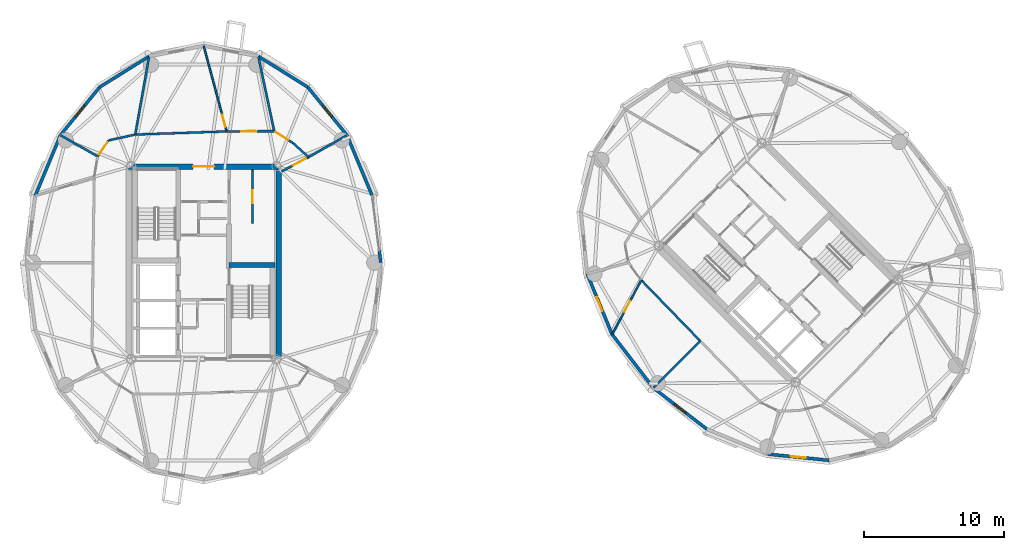
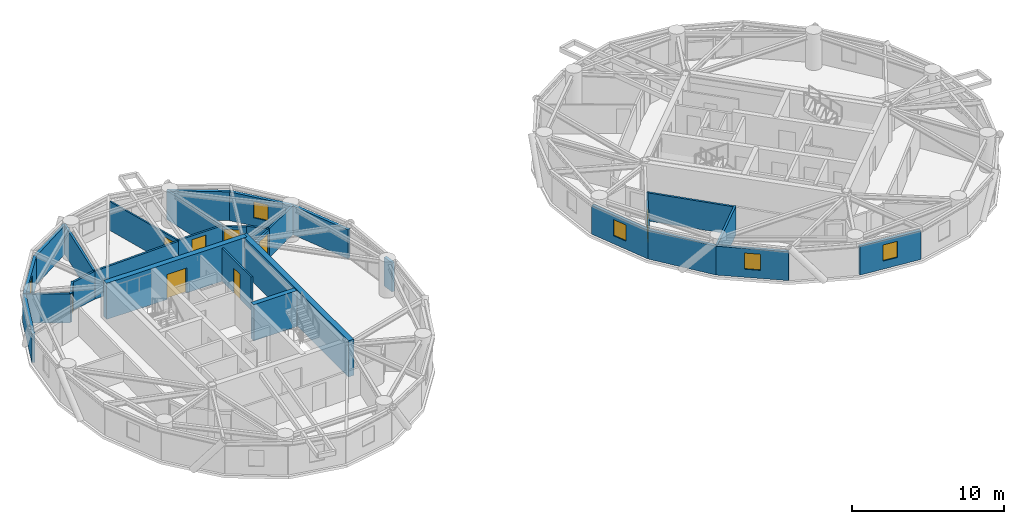
# One storey, part 10 of 16: 30 walls, 8 doors, 5 windows, 13 openings.
"""IFC4 building model written with IfcOpenShell, lengths in metres."""

from ifc_helpers import new_model, si_unit, direction, frame, frame_2d, origin, place, context, subcontext, project, spatial, rectangle, extrude, source, transform, mapped, material, layer, layer_set, type_object, element, fill, save


model = new_model("IFC4")

# Units and contexts
model_context = context("Model", 3, precision=1e-05, world=origin(), true_north=direction((0.0, 1.0)))
body_context = subcontext(model_context, "Body", "Model", "MODEL_VIEW")
ifc_project = project(units=[si_unit("LENGTHUNIT", "METRE"), si_unit("AREAUNIT", "SQUARE_METRE"), si_unit("VOLUMEUNIT", "CUBIC_METRE"), si_unit("PLANEANGLEUNIT", "RADIAN"), si_unit("MASSUNIT", "GRAM", prefix="KILO")], contexts=[model_context])

# Site, building, storey
site_placement = place(None, origin())
site = spatial("IfcSite", under=ifc_project, at=site_placement, CompositionType="ELEMENT")
building_placement = place(site_placement, origin())
building = spatial("IfcBuilding", under=site, at=building_placement, Name="Cununo Teusaquillo Station Towers", CompositionType="ELEMENT")
storey_placement = place(building_placement, frame((0.0, 0.0, 211.2099609375)))
storey = spatial("IfcBuildingStorey", under=building, at=storey_placement, Name="L67", CompositionType="ELEMENT", Elevation=211.2099609375)

# Walls
ifc_material_1 = material(Name="Concrete C50/60", Category="concrete")
ifc_layer_1 = layer(ifc_material_1, 0.35009765625)
ifc_layer_set_1 = layer_set([ifc_layer_1], Name="Concrete C50/60")
wall_type_1 = type_object("IfcWallType", Name="WL-CORE-350", PredefinedType="SHEAR", material=ifc_layer_set_1)
wall_1_placement = place(storey_placement, frame((18.31494140625, 24.344970703125, 0.0), z_axis=(0.0, 0.0, 1.0), x_axis=(1.0, 0.0, 0.0)))
element("IfcWall", 1, at=wall_1_placement, inside=storey, type_object=wall_type_1, Name="L67 Tower A Core Shear Wall ST2N", PredefinedType="SHEAR", context=body_context, shape_type="SweptSolid", body=[
    extrude(rectangle(XDim=3.28515625, YDim=0.35009765625, at=frame_2d((1.642578125, 0.0))), origin(), (0.0, 0.0, 1.0), 2.91015625),
])
ifc_material_2 = material(Name="Concrete C50/60", Category="concrete")
ifc_layer_2 = layer(ifc_material_2, 0.39990234375)
ifc_layer_set_2 = layer_set([ifc_layer_2], Name="Concrete C50/60")
wall_type_2 = type_object("IfcWallType", Name="WL-CORE-400", PredefinedType="SHEAR", material=ifc_layer_set_2)
wall_2_placement = place(storey_placement, frame((21.85009765625, 17.449951171875, 0.0), z_axis=(0.0, 0.0, 1.0), x_axis=(0.0, 1.0, 0.0)))
element("IfcWall", 2, at=wall_2_placement, inside=storey, type_object=wall_type_2, Name="L67 Tower A Core Shear Wall E", PredefinedType="SHEAR", context=body_context, shape_type="SweptSolid", body=[
    extrude(rectangle(XDim=14.10009765625, YDim=0.39990234375, at=frame_2d((7.050048828125, 0.0))), origin(), (0.0, 0.0, 1.0), 2.91015625),
])

# Wall, opening, door
wall_3_placement = place(storey_placement, frame((11.14990234375, 31.35009765625, 0.0), z_axis=(0.0, 0.0, 1.0), x_axis=(1.0, 0.0, 0.0)))
wall_3 = element("IfcWall", 3, at=wall_3_placement, inside=storey, type_object=wall_type_2, Name="L67 Tower A Core Shear Wall N", PredefinedType="SHEAR", context=body_context, shape_type="SweptSolid", body=[
    extrude(rectangle(XDim=10.7001953125, YDim=0.39990234375, at=frame_2d((5.35009765625, 0.0))), origin(), (0.0, 0.0, 1.0), 2.91015625),
])
shared_shape_1 = source(origin(), body_context, "Body", "SweptSolid", [
    extrude(rectangle(XDim=1.5, YDim=2.02001953125, at=frame_2d((0.75, 1.010009765625))), frame((0.0, 0.2099609375, 0.0), z_axis=(0.0, -1.0, 0.0), x_axis=(1.0, 0.0, 0.0)), (0.0, 0.0, 1.0), 0.419921875),
])
opening_1_placement = place(wall_3_placement, frame((4.60009765625, 0.0, 0.0)))
opening_1 = element("IfcOpeningElement", 4, at=opening_1_placement, cuts=wall_3, Name="Opening D-LB1", PredefinedType="OPENING", context=body_context, shape_type="MappedRepresentation", body=[
    mapped(shared_shape_1, transform((0.0, 0.0, 0.0), x_axis=(1.0, 0.0, 0.0), y_axis=(0.0, 1.0, 0.0), z_axis=(0.0, 0.0, 1.0), scale=1.0)),
])
ifc_material_3 = material(Name="Galvanised fire-rated hollow steel door assembly", Category="steel")
door_type_1 = type_object("IfcDoorType", Name="DR-LOBBY-1500", OperationType="DOUBLE_DOOR_SINGLE_SWING", PredefinedType="DOOR", material=ifc_material_3)
shared_shape_2 = source(origin(), body_context, "Body", "SweptSolid", [
    extrude(rectangle(XDim=1.5, YDim=2.02001953125, at=frame_2d((0.75, 1.010009765625))), frame((0.0, 0.02490234375, 0.0), z_axis=(0.0, -1.0, 0.0), x_axis=(1.0, 0.0, 0.0)), (0.0, 0.0, 1.0), 0.050048828125),
])
door_1_placement = place(opening_1_placement, origin())
door_1 = element("IfcDoor", 5, at=door_1_placement, inside=storey, type_object=door_type_1, Name="L67 Tower A North Core Lift Lobby Door", OperationType="DOUBLE_DOOR_SINGLE_SWING", OverallHeight=2.02001953125, OverallWidth=1.5, PredefinedType="DOOR", context=body_context, shape_type="MappedRepresentation", body=[
    mapped(shared_shape_2, transform((0.0, 0.0, 0.0), x_axis=(1.0, 0.0, 0.0), y_axis=(0.0, 1.0, 0.0), z_axis=(0.0, 0.0, 1.0), scale=1.0)),
])
fill(opening_1, door_1)

# Walls
ifc_material_4 = material(Name="Precast concrete C40/50", Category="concrete")
ifc_layer_3 = layer(ifc_material_4, 0.219970703125)
ifc_layer_set_3 = layer_set([ifc_layer_3], Name="Precast concrete C40/50")
wall_type_3 = type_object("IfcWallType", Name="WL-EXT-220", PredefinedType="SOLIDWALL", material=ifc_layer_set_3)
wall_4_placement = place(storey_placement, frame((29.018310546875, 25.36279296875, 0.0), z_axis=(0.0, 0.0, 1.0), x_axis=(0.128247365719, -0.991742211054, 0.0)))
element("IfcWall", 6, at=wall_4_placement, inside=storey, type_object=wall_type_3, Name="L67 Tower A Column Pier Cladding Wall C00-PB", PredefinedType="SOLIDWALL", context=body_context, shape_type="SweptSolid", body=[
    extrude(rectangle(XDim=0.869873046875, YDim=0.219970703125, at=frame_2d((0.43505859375, 0.0))), origin(), (0.0, 0.0, 1.0), 2.322021484375),
])
wall_5_placement = place(storey_placement, frame((26.718017578125, 33.593017578125, 0.0), z_axis=(0.0, 0.0, 1.0), x_axis=(0.384036305194, -0.923317993052, 0.0)))
element("IfcWall", 7, at=wall_5_placement, inside=storey, type_object=wall_type_3, Name="L67 Tower A Exterior Facade Wall C01", PredefinedType="SOLIDWALL", context=body_context, shape_type="SweptSolid", body=[
    extrude(rectangle(XDim=4.670654296875, YDim=0.219970703125, at=frame_2d((2.33544921875, 0.0))), origin(), (0.0, 0.0, 1.0), 2.322021484375),
])

# Wall, opening, window
wall_6_placement = place(storey_placement, frame((23.923583984375, 37.015380859375, 0.0), z_axis=(0.0, 0.0, 1.0), x_axis=(0.632467166636, -0.774587169483, 0.0)))
wall_6 = element("IfcWall", 8, at=wall_6_placement, inside=storey, type_object=wall_type_3, Name="L67 Tower A Exterior Facade Wall C02", PredefinedType="SOLIDWALL", context=body_context, shape_type="SweptSolid", body=[
    extrude(rectangle(XDim=4.418212890625, YDim=0.219970703125, at=frame_2d((2.208984375, 0.0))), origin(), (0.0, 0.0, 1.0), 2.322021484375),
])
shared_shape_3 = source(origin(), body_context, "Body", "SweptSolid", [
    extrude(rectangle(XDim=1.050048828125, YDim=1.300048828125, at=frame_2d((0.52490234375, 0.64990234375))), frame((0.0, 0.119873046875, 0.0), z_axis=(0.0, -1.0, 0.0), x_axis=(1.0, 0.0, 0.0)), (0.0, 0.0, 1.0), 0.239990234375),
])
opening_2_placement = place(wall_6_placement, frame((1.68408203125, 0.0, 0.64990234375)))
opening_2 = element("IfcOpeningElement", 9, at=opening_2_placement, cuts=wall_6, Name="Opening WN-04", PredefinedType="OPENING", context=body_context, shape_type="MappedRepresentation", body=[
    mapped(shared_shape_3, transform((0.0, 0.0, 0.0), x_axis=(1.0, 0.0, 0.0), y_axis=(0.0, 1.0, 0.0), z_axis=(0.0, 0.0, 1.0), scale=1.0)),
])
ifc_material_5 = material(Name="Operable acoustic tinted low-E double glazing", Category="glass")
window_type = type_object("IfcWindowType", Name="WIN-BAL-1050", PartitioningType="SINGLE_PANEL", PredefinedType="WINDOW", material=ifc_material_5)
shared_shape_4 = source(origin(), body_context, "Body", "SweptSolid", [
    extrude(rectangle(XDim=1.050048828125, YDim=1.300048828125, at=frame_2d((0.52490234375, 0.64990234375))), frame((0.0, 0.030029296875, 0.0), z_axis=(0.0, -1.0, 0.0), x_axis=(1.0, 0.0, 0.0)), (0.0, 0.0, 1.0), 0.06005859375),
])
window_1_placement = place(opening_2_placement, origin())
window_1 = element("IfcWindow", 10, at=window_1_placement, inside=storey, type_object=window_type, Name="L67 Tower A Facade Window C02", OverallHeight=1.300048828125, OverallWidth=1.050048828125, PartitioningType="SINGLE_PANEL", PredefinedType="WINDOW", context=body_context, shape_type="MappedRepresentation", body=[
    mapped(shared_shape_4, transform((0.0, 0.0, 0.0), x_axis=(1.0, 0.0, 0.0), y_axis=(0.0, 1.0, 0.0), z_axis=(0.0, 0.0, 1.0), scale=1.0)),
])
fill(opening_2, window_1)

# Walls
for number, where, z_axis, x_axis, name in (
    (11, (20.40283203125, 39.212890625, 0.0), (0.0, 0.0, 1.0), (0.848318713376, -0.529485939886, 0.0), "L67 Tower A Exterior Facade Wall C03"),
    (12, (9.076416015625, 37.015380859375, 0.0), (0.0, 0.0, 1.0), (0.848318713376, 0.529485939886, 0.0), "L67 Tower A Exterior Facade Wall C06"),
):
    element("IfcWall", number, at=place(storey_placement, frame(where, z_axis=z_axis, x_axis=x_axis)), inside=storey, type_object=wall_type_3, Name=name, PredefinedType="SOLIDWALL", context=body_context, shape_type="SweptSolid", body=[
        extrude(rectangle(XDim=4.150390625, YDim=0.219970703125, at=frame_2d((2.0751953125, 0.0))), origin(), (0.0, 0.0, 1.0), 2.322021484375),
    ])

# Wall, opening, window
wall_7_placement = place(storey_placement, frame((6.281982421875, 33.593017578125, 0.0), z_axis=(0.0, 0.0, 1.0), x_axis=(0.632467166636, 0.774587169483, 0.0)))
wall_7 = element("IfcWall", 13, at=wall_7_placement, inside=storey, type_object=wall_type_3, Name="L67 Tower A Exterior Facade Wall C07", PredefinedType="SOLIDWALL", context=body_context, shape_type="SweptSolid", body=[
    extrude(rectangle(XDim=4.418212890625, YDim=0.219970703125, at=frame_2d((2.208984375, 0.0))), origin(), (0.0, 0.0, 1.0), 2.322021484375),
])
opening_3_placement = place(wall_7_placement, frame((1.68408203125, 0.0, 0.64990234375)))
opening_3 = element("IfcOpeningElement", 14, at=opening_3_placement, cuts=wall_7, Name="Opening WN-04", PredefinedType="OPENING", context=body_context, shape_type="MappedRepresentation", body=[
    mapped(shared_shape_3, transform((0.0, 0.0, 0.0), x_axis=(1.0, 0.0, 0.0), y_axis=(0.0, 1.0, 0.0), z_axis=(0.0, 0.0, 1.0), scale=1.0)),
])
window_2_placement = place(opening_3_placement, origin())
window_2 = element("IfcWindow", 15, at=window_2_placement, inside=storey, type_object=window_type, Name="L67 Tower A Facade Window C07", OverallHeight=1.300048828125, OverallWidth=1.050048828125, PartitioningType="SINGLE_PANEL", PredefinedType="WINDOW", context=body_context, shape_type="MappedRepresentation", body=[
    mapped(shared_shape_4, transform((0.0, 0.0, 0.0), x_axis=(1.0, 0.0, 0.0), y_axis=(0.0, 1.0, 0.0), z_axis=(0.0, 0.0, 1.0), scale=1.0)),
])
fill(opening_3, window_2)

# Wall
wall_8_placement = place(storey_placement, frame((4.48828125, 29.280517578125, 0.0), z_axis=(0.0, 0.0, 1.0), x_axis=(0.384036305194, 0.923317993052, 0.0)))
element("IfcWall", 16, at=wall_8_placement, inside=storey, type_object=wall_type_3, Name="L67 Tower A Exterior Facade Wall C08", PredefinedType="SOLIDWALL", context=body_context, shape_type="SweptSolid", body=[
    extrude(rectangle(XDim=4.670654296875, YDim=0.219970703125, at=frame_2d((2.33544921875, 0.0))), origin(), (0.0, 0.0, 1.0), 2.322021484375),
])

# Wall, opening, window
wall_9_placement = place(storey_placement, frame((45.626220703125, 19.38671875, 0.0), z_axis=(0.0, 0.0, 1.0), x_axis=(-0.381309704956, 0.924447353237, 0.0)))
wall_9 = element("IfcWall", 17, at=wall_9_placement, inside=storey, type_object=wall_type_3, Name="L67 Tower B Exterior Facade Wall C08", PredefinedType="SOLIDWALL", context=body_context, shape_type="SweptSolid", body=[
    extrude(rectangle(XDim=4.670654296875, YDim=0.219970703125, at=frame_2d((2.33544921875, 0.0))), origin(), (0.0, 0.0, 1.0), 2.322021484375),
])
opening_4_placement = place(wall_9_placement, frame((1.81005859375, 0.0, 0.64990234375)))
opening_4 = element("IfcOpeningElement", 18, at=opening_4_placement, cuts=wall_9, Name="Opening WN-04", PredefinedType="OPENING", context=body_context, shape_type="MappedRepresentation", body=[
    mapped(shared_shape_3, transform((0.0, 0.0, 0.0), x_axis=(1.0, 0.0, 0.0), y_axis=(0.0, 1.0, 0.0), z_axis=(0.0, 0.0, 1.0), scale=1.0)),
])
window_3_placement = place(opening_4_placement, origin())
window_3 = element("IfcWindow", 19, at=window_3_placement, inside=storey, type_object=window_type, Name="L67 Tower B Facade Window C08", OverallHeight=1.300048828125, OverallWidth=1.050048828125, PartitioningType="SINGLE_PANEL", PredefinedType="WINDOW", context=body_context, shape_type="MappedRepresentation", body=[
    mapped(shared_shape_4, transform((0.0, 0.0, 0.0), x_axis=(1.0, 0.0, 0.0), y_axis=(0.0, 1.0, 0.0), z_axis=(0.0, 0.0, 1.0), scale=1.0)),
])
fill(opening_4, window_3)

# Wall
wall_10_placement = place(storey_placement, frame((48.569091796875, 15.569091796875, 0.0), z_axis=(0.0, 0.0, 1.0), x_axis=(-0.610523083886, 0.791998462147, 0.0)))
element("IfcWall", 20, at=wall_10_placement, inside=storey, type_object=wall_type_3, Name="L67 Tower B Exterior Facade Wall C09", PredefinedType="SOLIDWALL", context=body_context, shape_type="SweptSolid", body=[
    extrude(rectangle(XDim=4.8203125, YDim=0.219970703125, at=frame_2d((2.41015625, 0.0))), origin(), (0.0, 0.0, 1.0), 2.322021484375),
])

# Wall, opening, window
wall_11_placement = place(storey_placement, frame((52.38671875, 12.626220703125, 0.0), z_axis=(0.0, 0.0, 1.0), x_axis=(-0.791998462147, 0.610523083886, 0.0)))
wall_11 = element("IfcWall", 21, at=wall_11_placement, inside=storey, type_object=wall_type_3, Name="L67 Tower B Exterior Facade Wall C10", PredefinedType="SOLIDWALL", context=body_context, shape_type="SweptSolid", body=[
    extrude(rectangle(XDim=4.8203125, YDim=0.219970703125, at=frame_2d((2.41015625, 0.0))), origin(), (0.0, 0.0, 1.0), 2.322021484375),
])
opening_5_placement = place(wall_11_placement, frame((1.885009765625, 0.0, 0.64990234375)))
opening_5 = element("IfcOpeningElement", 22, at=opening_5_placement, cuts=wall_11, Name="Opening WN-04", PredefinedType="OPENING", context=body_context, shape_type="MappedRepresentation", body=[
    mapped(shared_shape_3, transform((0.0, 0.0, 0.0), x_axis=(1.0, 0.0, 0.0), y_axis=(0.0, 1.0, 0.0), z_axis=(0.0, 0.0, 1.0), scale=1.0)),
])
window_4_placement = place(opening_5_placement, origin())
window_4 = element("IfcWindow", 23, at=window_4_placement, inside=storey, type_object=window_type, Name="L67 Tower B Facade Window C10", OverallHeight=1.300048828125, OverallWidth=1.050048828125, PartitioningType="SINGLE_PANEL", PredefinedType="WINDOW", context=body_context, shape_type="MappedRepresentation", body=[
    mapped(shared_shape_4, transform((0.0, 0.0, 0.0), x_axis=(1.0, 0.0, 0.0), y_axis=(0.0, 1.0, 0.0), z_axis=(0.0, 0.0, 1.0), scale=1.0)),
])
fill(opening_5, window_4)

wall_12_placement = place(storey_placement, frame((61.100341796875, 10.40087890625, 0.0), z_axis=(0.0, 0.0, 1.0), x_axis=(-0.994929930991, 0.100570534541, 0.0)))
wall_12 = element("IfcWall", 24, at=wall_12_placement, inside=storey, type_object=wall_type_3, Name="L67 Tower B Exterior Facade Wall C12", PredefinedType="SOLIDWALL", context=body_context, shape_type="SweptSolid", body=[
    extrude(rectangle(XDim=4.418212890625, YDim=0.219970703125, at=frame_2d((2.208984375, 0.0))), origin(), (0.0, 0.0, 1.0), 2.322021484375),
])
opening_6_placement = place(wall_12_placement, frame((1.68408203125, 0.0, 0.64990234375)))
opening_6 = element("IfcOpeningElement", 25, at=opening_6_placement, cuts=wall_12, Name="Opening WN-04", PredefinedType="OPENING", context=body_context, shape_type="MappedRepresentation", body=[
    mapped(shared_shape_3, transform((0.0, 0.0, 0.0), x_axis=(1.0, 0.0, 0.0), y_axis=(0.0, 1.0, 0.0), z_axis=(0.0, 0.0, 1.0), scale=1.0)),
])
window_5_placement = place(opening_6_placement, origin())
window_5 = element("IfcWindow", 26, at=window_5_placement, inside=storey, type_object=window_type, Name="L67 Tower B Facade Window C12", OverallHeight=1.300048828125, OverallWidth=1.050048828125, PartitioningType="SINGLE_PANEL", PredefinedType="WINDOW", context=body_context, shape_type="MappedRepresentation", body=[
    mapped(shared_shape_4, transform((0.0, 0.0, 0.0), x_axis=(1.0, 0.0, 0.0), y_axis=(0.0, 1.0, 0.0), z_axis=(0.0, 0.0, 1.0), scale=1.0)),
])
fill(opening_6, window_5)

# Wall, opening, door
ifc_material_6 = material(Name="Fire-rated gypsum plasterboard partition assembly", Category="gypsum")
ifc_layer_4 = layer(ifc_material_6, 0.125)
ifc_layer_set_4 = layer_set([ifc_layer_4], Name="Fire-rated gypsum plasterboard partition assembly")
wall_type_4 = type_object("IfcWallType", Name="WL-PART-125", PredefinedType="PARTITIONING", material=ifc_layer_set_4)
wall_13_placement = place(storey_placement, frame((19.97998046875, 27.300048828125, 0.0), z_axis=(0.0, 0.0, 1.0), x_axis=(0.0, 1.0, 0.0)))
wall_13 = element("IfcWall", 27, at=wall_13_placement, inside=storey, type_object=wall_type_4, Name="L67 Tower A Reclaimed Bay Vertical Split Wall", PredefinedType="PARTITIONING", context=body_context, shape_type="SweptSolid", body=[
    extrude(rectangle(XDim=3.820068359375, YDim=0.125, at=frame_2d((1.91015625, 0.0))), origin(), (0.0, 0.0, 1.0), 2.68505859375),
])
shared_shape_5 = source(origin(), body_context, "Body", "SweptSolid", [
    extrude(rectangle(XDim=0.89990234375, YDim=2.0048828125, at=frame_2d((0.449951171875, 1.00244140625))), frame((0.0, 0.072509765625, 0.0), z_axis=(0.0, -1.0, 0.0), x_axis=(1.0, 0.0, 0.0)), (0.0, 0.0, 1.0), 0.14501953125),
])
opening_7_placement = place(wall_13_placement, frame((1.449951171875, 0.0, 0.0)))
opening_7 = element("IfcOpeningElement", 28, at=opening_7_placement, cuts=wall_13, Name="Opening D-IN1", PredefinedType="OPENING", context=body_context, shape_type="MappedRepresentation", body=[
    mapped(shared_shape_5, transform((0.0, 0.0, 0.0), x_axis=(1.0, 0.0, 0.0), y_axis=(0.0, 1.0, 0.0), z_axis=(0.0, 0.0, 1.0), scale=1.0)),
])
ifc_material_7 = material(Name="Acoustic solid-core hardwood leaf assembly", Category="wood")
door_type_2 = type_object("IfcDoorType", Name="DR-INT-900", OperationType="NOTDEFINED", PredefinedType="DOOR", material=ifc_material_7)
shared_shape_6 = source(origin(), body_context, "Body", "SweptSolid", [
    extrude(rectangle(XDim=0.89990234375, YDim=2.0048828125, at=frame_2d((0.449951171875, 1.00244140625))), frame((0.0, 0.02490234375, 0.0), z_axis=(0.0, -1.0, 0.0), x_axis=(1.0, 0.0, 0.0)), (0.0, 0.0, 1.0), 0.050048828125),
])
door_2_placement = place(opening_7_placement, origin())
door_2 = element("IfcDoor", 29, at=door_2_placement, inside=storey, type_object=door_type_2, Name="L67 Tower A Reclaimed Acoustic Booth Door", OperationType="SINGLE_SWING_RIGHT", OverallHeight=2.0048828125, OverallWidth=0.89990234375, PredefinedType="DOOR", context=body_context, shape_type="MappedRepresentation", body=[
    mapped(shared_shape_6, transform((0.0, 0.0, 0.0), x_axis=(1.0, 0.0, 0.0), y_axis=(0.0, 1.0, 0.0), z_axis=(0.0, 0.0, 1.0), scale=1.0)),
])
fill(opening_7, door_2)

wall_14_placement = place(storey_placement, frame((18.142822265625, 33.859619140625, 0.0), z_axis=(0.0, 0.0, 1.0), x_axis=(-0.260434252895, 0.965491584592, 0.0)))
wall_14 = element("IfcWall", 30, at=wall_14_placement, inside=storey, type_object=wall_type_4, Name="L67 Tower A International Arbitration Salon Suite Subdividing Wall", PredefinedType="PARTITIONING", context=body_context, shape_type="SweptSolid", body=[
    extrude(rectangle(XDim=6.30810546875, YDim=0.125, at=frame_2d((3.154052734375, 0.0))), origin(), (0.0, 0.0, 1.0), 2.322021484375),
])
opening_8_placement = place(wall_14_placement, frame((0.330078125, 0.0, 0.0)))
opening_8 = element("IfcOpeningElement", 31, at=opening_8_placement, cuts=wall_14, Name="Opening D-IN1", PredefinedType="OPENING", context=body_context, shape_type="MappedRepresentation", body=[
    mapped(shared_shape_5, transform((0.0, 0.0, 0.0), x_axis=(1.0, 0.0, 0.0), y_axis=(0.0, 1.0, 0.0), z_axis=(0.0, 0.0, 1.0), scale=1.0)),
])
door_3_placement = place(opening_8_placement, origin())
door_3 = element("IfcDoor", 32, at=door_3_placement, inside=storey, type_object=door_type_2, Name="L67 Tower A International Arbitration Salon Suite Connecting Door", OperationType="SINGLE_SWING_LEFT", OverallHeight=2.0048828125, OverallWidth=0.89990234375, PredefinedType="DOOR", context=body_context, shape_type="MappedRepresentation", body=[
    mapped(shared_shape_6, transform((0.0, 0.0, 0.0), x_axis=(1.0, 0.0, 0.0), y_axis=(0.0, 1.0, 0.0), z_axis=(0.0, 0.0, 1.0), scale=1.0)),
])
fill(opening_8, door_3)

wall_15_placement = place(storey_placement, frame((47.70556640625, 23.253173828125, 0.0), z_axis=(0.0, 0.0, 1.0), x_axis=(-0.471384756618, -0.881927667799, 0.0)))
wall_15 = element("IfcWall", 33, at=wall_15_placement, inside=storey, type_object=wall_type_4, Name="L67 Tower B Visiting Envoy Briefing Room Suite Subdividing Wall", PredefinedType="PARTITIONING", context=body_context, shape_type="SweptSolid", body=[
    extrude(rectangle(XDim=4.373779296875, YDim=0.125, at=frame_2d((2.18701171875, 0.0))), origin(), (0.0, 0.0, 1.0), 2.255126953125),
])
opening_9_placement = place(wall_15_placement, frame((1.673828125, 0.0, 0.0)))
opening_9 = element("IfcOpeningElement", 34, at=opening_9_placement, cuts=wall_15, Name="Opening D-IN1", PredefinedType="OPENING", context=body_context, shape_type="MappedRepresentation", body=[
    mapped(shared_shape_5, transform((0.0, 0.0, 0.0), x_axis=(1.0, 0.0, 0.0), y_axis=(0.0, 1.0, 0.0), z_axis=(0.0, 0.0, 1.0), scale=1.0)),
])
door_4_placement = place(opening_9_placement, origin())
door_4 = element("IfcDoor", 35, at=door_4_placement, inside=storey, type_object=door_type_2, Name="L67 Tower B Visiting Envoy Briefing Room Suite Connecting Door", OperationType="SINGLE_SWING_LEFT", OverallHeight=2.0048828125, OverallWidth=0.89990234375, PredefinedType="DOOR", context=body_context, shape_type="MappedRepresentation", body=[
    mapped(shared_shape_6, transform((0.0, 0.0, 0.0), x_axis=(1.0, 0.0, 0.0), y_axis=(0.0, 1.0, 0.0), z_axis=(0.0, 0.0, 1.0), scale=1.0)),
])
fill(opening_9, door_4)

# Wall
ifc_material_8 = material(Name="Fire-rated gypsum plasterboard partition assembly", Category="gypsum")
ifc_layer_5 = layer(ifc_material_8, 0.14990234375)
ifc_layer_set_5 = layer_set([ifc_layer_5], Name="Fire-rated gypsum plasterboard partition assembly")
wall_type_5 = type_object("IfcWallType", Name="WL-PART-150", PredefinedType="PARTITIONING", material=ifc_layer_set_5)
wall_16_placement = place(storey_placement, frame((23.979736328125, 32.02685546875, 0.0), z_axis=(0.0, 0.0, 1.0), x_axis=(-0.742353224332, 0.670008724065, 0.0)))
element("IfcWall", 36, at=wall_16_placement, inside=storey, type_object=wall_type_5, Name="L67 Tower A Corridor Ring Wall C02", PredefinedType="PARTITIONING", context=body_context, shape_type="SweptSolid", body=[
    extrude(rectangle(XDim=1.48486328125, YDim=0.14990234375, at=frame_2d((0.742431640625, 0.0))), origin(), (0.0, 0.0, 1.0), 2.322021484375),
])

# Wall, opening, door
wall_17_placement = place(storey_placement, frame((22.87744140625, 33.021728515625, 0.0), z_axis=(0.0, 0.0, 1.0), x_axis=(-0.845895608855, 0.533348496689, 0.0)))
wall_17 = element("IfcWall", 37, at=wall_17_placement, inside=storey, type_object=wall_type_5, Name="L67 Tower A Corridor Ring Wall C03", PredefinedType="PARTITIONING", context=body_context, shape_type="SweptSolid", body=[
    extrude(rectangle(XDim=1.5966796875, YDim=0.14990234375, at=frame_2d((0.79833984375, 0.0))), origin(), (0.0, 0.0, 1.0), 2.255126953125),
])
shared_shape_7 = source(origin(), body_context, "Body", "SweptSolid", [
    extrude(rectangle(XDim=1.050048828125, YDim=2.014892578125, at=frame_2d((0.52490234375, 1.00732421875))), frame((0.0, 0.0849609375, 0.0), z_axis=(0.0, -1.0, 0.0), x_axis=(1.0, 0.0, 0.0)), (0.0, 0.0, 1.0), 0.169921875),
])
opening_10_placement = place(wall_17_placement, frame((0.4267578125, 0.0, 0.0)))
opening_10 = element("IfcOpeningElement", 38, at=opening_10_placement, cuts=wall_17, Name="Opening D-SU1", PredefinedType="OPENING", context=body_context, shape_type="MappedRepresentation", body=[
    mapped(shared_shape_7, transform((0.0, 0.0, 0.0), x_axis=(1.0, 0.0, 0.0), y_axis=(0.0, 1.0, 0.0), z_axis=(0.0, 0.0, 1.0), scale=1.0)),
])
ifc_material_9 = material(Name="Acoustic solid-core hardwood leaf assembly", Category="wood")
door_type_3 = type_object("IfcDoorType", Name="DR-SUITE-1050", OperationType="NOTDEFINED", PredefinedType="DOOR", material=ifc_material_9)
shared_shape_8 = source(origin(), body_context, "Body", "SweptSolid", [
    extrude(rectangle(XDim=1.050048828125, YDim=2.014892578125, at=frame_2d((0.52490234375, 1.00732421875))), frame((0.0, 0.02490234375, 0.0), z_axis=(0.0, -1.0, 0.0), x_axis=(1.0, 0.0, 0.0)), (0.0, 0.0, 1.0), 0.050048828125),
])
door_5_placement = place(opening_10_placement, origin())
door_5 = element("IfcDoor", 39, at=door_5_placement, inside=storey, type_object=door_type_3, Name="L67 Tower A Andean Climate Foundation HQ Entrance Door", OperationType="SINGLE_SWING_LEFT", OverallHeight=2.014892578125, OverallWidth=1.050048828125, PredefinedType="DOOR", context=body_context, shape_type="MappedRepresentation", body=[
    mapped(shared_shape_8, transform((0.0, 0.0, 0.0), x_axis=(1.0, 0.0, 0.0), y_axis=(0.0, 1.0, 0.0), z_axis=(0.0, 0.0, 1.0), scale=1.0)),
])
fill(opening_10, door_5)

wall_18_placement = place(storey_placement, frame((21.52685546875, 33.873291015625, 0.0), z_axis=(0.0, 0.0, 1.0), x_axis=(-0.999991838845, -0.004040079574, 0.0)))
wall_18 = element("IfcWall", 40, at=wall_18_placement, inside=storey, type_object=wall_type_5, Name="L67 Tower A Corridor Ring Wall C04", PredefinedType="PARTITIONING", context=body_context, shape_type="SweptSolid", body=[
    extrude(rectangle(XDim=3.384033203125, YDim=0.14990234375, at=frame_2d((1.69189453125, 0.0))), origin(), (0.0, 0.0, 1.0), 2.322021484375),
])
opening_11_placement = place(wall_18_placement, frame((1.2978515625, 0.0, 0.0)))
opening_11 = element("IfcOpeningElement", 41, at=opening_11_placement, cuts=wall_18, Name="Opening D-SU1", PredefinedType="OPENING", context=body_context, shape_type="MappedRepresentation", body=[
    mapped(shared_shape_7, transform((0.0, 0.0, 0.0), x_axis=(1.0, 0.0, 0.0), y_axis=(0.0, 1.0, 0.0), z_axis=(0.0, 0.0, 1.0), scale=1.0)),
])
door_6_placement = place(opening_11_placement, origin())
door_6 = element("IfcDoor", 42, at=door_6_placement, inside=storey, type_object=door_type_3, Name="L67 Tower A International Arbitration Salon Entrance Door", OperationType="SINGLE_SWING_RIGHT", OverallHeight=2.014892578125, OverallWidth=1.050048828125, PredefinedType="DOOR", context=body_context, shape_type="MappedRepresentation", body=[
    mapped(shared_shape_8, transform((0.0, 0.0, 0.0), x_axis=(1.0, 0.0, 0.0), y_axis=(0.0, 1.0, 0.0), z_axis=(0.0, 0.0, 1.0), scale=1.0)),
])
fill(opening_11, door_6)

# Walls
wall_19_placement = place(storey_placement, frame((18.142822265625, 33.859619140625, 0.0), z_axis=(0.0, 0.0, 1.0), x_axis=(-0.999419208319, -0.034077060363, 0.0)))
element("IfcWall", 43, at=wall_19_placement, inside=storey, type_object=wall_type_5, Name="L67 Tower A Corridor Ring Wall C05", PredefinedType="PARTITIONING", context=body_context, shape_type="SweptSolid", body=[
    extrude(rectangle(XDim=6.52685546875, YDim=0.14990234375, at=frame_2d((3.263427734375, 0.0))), origin(), (0.0, 0.0, 1.0), 2.255126953125),
])
wall_20_placement = place(storey_placement, frame((11.619873046875, 33.63720703125, 0.0), z_axis=(0.0, 0.0, 1.0), x_axis=(-0.97702579435, -0.213121085711, 0.0)))
element("IfcWall", 44, at=wall_20_placement, inside=storey, type_object=wall_type_5, Name="L67 Tower A Corridor Ring Wall C06", PredefinedType="PARTITIONING", context=body_context, shape_type="SweptSolid", body=[
    extrude(rectangle(XDim=1.934814453125, YDim=0.14990234375, at=frame_2d((0.96728515625, 0.0))), origin(), (0.0, 0.0, 1.0), 2.255126953125),
])

# Wall, opening, door
wall_21_placement = place(storey_placement, frame((9.7294921875, 33.224853515625, 0.0), z_axis=(0.0, 0.0, 1.0), x_axis=(-0.567183649484, -0.82359134755, 0.0)))
wall_21 = element("IfcWall", 45, at=wall_21_placement, inside=storey, type_object=wall_type_5, Name="L67 Tower A Corridor Ring Wall C07", PredefinedType="PARTITIONING", context=body_context, shape_type="SweptSolid", body=[
    extrude(rectangle(XDim=1.39208984375, YDim=0.14990234375, at=frame_2d((0.696044921875, 0.0))), origin(), (0.0, 0.0, 1.0), 2.322021484375),
])
opening_12_placement = place(wall_21_placement, frame((0.1708984375, 0.0, 0.0)))
opening_12 = element("IfcOpeningElement", 46, at=opening_12_placement, cuts=wall_21, Name="Opening D-SU1", PredefinedType="OPENING", context=body_context, shape_type="MappedRepresentation", body=[
    mapped(shared_shape_7, transform((0.0, 0.0, 0.0), x_axis=(1.0, 0.0, 0.0), y_axis=(0.0, 1.0, 0.0), z_axis=(0.0, 0.0, 1.0), scale=1.0)),
])
door_7_placement = place(opening_12_placement, origin())
door_7 = element("IfcDoor", 47, at=door_7_placement, inside=storey, type_object=door_type_3, Name="L67 Tower A Senior Counsel Office Entrance Door", OperationType="SINGLE_SWING_RIGHT", OverallHeight=2.014892578125, OverallWidth=1.050048828125, PredefinedType="DOOR", context=body_context, shape_type="MappedRepresentation", body=[
    mapped(shared_shape_8, transform((0.0, 0.0, 0.0), x_axis=(1.0, 0.0, 0.0), y_axis=(0.0, 1.0, 0.0), z_axis=(0.0, 0.0, 1.0), scale=1.0)),
])
fill(opening_12, door_7)

# Walls
wall_22_placement = place(storey_placement, frame((47.70556640625, 23.253173828125, 0.0), z_axis=(0.0, 0.0, 1.0), x_axis=(0.696179266346, -0.717867974707, 0.0)))
element("IfcWall", 48, at=wall_22_placement, inside=storey, type_object=wall_type_5, Name="L67 Tower B Corridor Ring Wall C09", PredefinedType="PARTITIONING", context=body_context, shape_type="SweptSolid", body=[
    extrude(rectangle(XDim=6.044677734375, YDim=0.14990234375, at=frame_2d((3.0224609375, 0.0))), origin(), (0.0, 0.0, 1.0), 2.255126953125),
])
ifc_material_10 = material(Name="Fire-rated gypsum plasterboard partition assembly", Category="gypsum")
ifc_layer_6 = layer(ifc_material_10, 0.159912109375)
ifc_layer_set_6 = layer_set([ifc_layer_6], Name="Fire-rated gypsum plasterboard partition assembly")
wall_type_6 = type_object("IfcWallType", Name="WL-PART-160", PredefinedType="PARTITIONING", material=ifc_layer_set_6)
wall_23_placement = place(storey_placement, frame((23.979736328125, 32.02685546875, 0.0), z_axis=(0.0, 0.0, 1.0), x_axis=(0.868372526378, 0.495912447345, 0.0)))
element("IfcWall", 49, at=wall_23_placement, inside=storey, type_object=wall_type_6, Name="L67 Tower A Radial Suite Partition R01", PredefinedType="PARTITIONING", context=body_context, shape_type="SweptSolid", body=[
    extrude(rectangle(XDim=3.134521484375, YDim=0.159912109375, at=frame_2d((1.5673828125, 0.0))), origin(), (0.0, 0.0, 1.0), 2.322021484375),
])
wall_24_placement = place(storey_placement, frame((21.52685546875, 33.873291015625, 0.0), z_axis=(0.0, 0.0, 1.0), x_axis=(-0.207772326864, 0.97817721308, 0.0)))
element("IfcWall", 50, at=wall_24_placement, inside=storey, type_object=wall_type_6, Name="L67 Tower A Radial Suite Partition R02", PredefinedType="PARTITIONING", context=body_context, shape_type="SweptSolid", body=[
    extrude(rectangle(XDim=5.439208984375, YDim=0.159912109375, at=frame_2d((2.7197265625, 0.0))), origin(), (0.0, 0.0, 1.0), 2.322021484375),
])
wall_25_placement = place(storey_placement, frame((11.619873046875, 33.63720703125, 0.0), z_axis=(0.0, 0.0, 1.0), x_axis=(0.174269061361, 0.984698072636, 0.0)))
element("IfcWall", 51, at=wall_25_placement, inside=storey, type_object=wall_type_6, Name="L67 Tower A Radial Suite Partition R03", PredefinedType="PARTITIONING", context=body_context, shape_type="SweptSolid", body=[
    extrude(rectangle(XDim=5.64306640625, YDim=0.159912109375, at=frame_2d((2.821533203125, 0.0))), origin(), (0.0, 0.0, 1.0), 2.322021484375),
])
wall_26_placement = place(storey_placement, frame((8.93994140625, 32.078369140625, 0.0), z_axis=(0.0, 0.0, 1.0), x_axis=(-0.869170975588, 0.494511693689, 0.0)))
element("IfcWall", 52, at=wall_26_placement, inside=storey, type_object=wall_type_6, Name="L67 Tower A Radial Suite Partition R04", PredefinedType="PARTITIONING", context=body_context, shape_type="SweptSolid", body=[
    extrude(rectangle(XDim=3.039306640625, YDim=0.159912109375, at=frame_2d((1.51953125, 0.0))), origin(), (0.0, 0.0, 1.0), 2.322021484375),
])

# Wall, opening, door
wall_27_placement = place(storey_placement, frame((22.050048828125, 31.0, 0.0), z_axis=(0.0, 0.0, 1.0), x_axis=(0.882791584709, 0.469764853908, 0.0)))
wall_27 = element("IfcWall", 53, at=wall_27_placement, inside=storey, type_object=wall_type_6, Name="L67 Tower A East Salon Corridor Portal Wall NE", PredefinedType="PARTITIONING", context=body_context, shape_type="SweptSolid", body=[
    extrude(rectangle(XDim=2.185791015625, YDim=0.159912109375, at=frame_2d((1.0927734375, 0.0))), origin(), (0.0, 0.0, 1.0), 2.255126953125),
])
shared_shape_9 = source(origin(), body_context, "Body", "SweptSolid", [
    extrude(rectangle(XDim=1.050048828125, YDim=2.014892578125, at=frame_2d((0.52490234375, 1.00732421875))), frame((0.0, 0.08984375, 0.0), z_axis=(0.0, -1.0, 0.0), x_axis=(1.0, 0.0, 0.0)), (0.0, 0.0, 1.0), 0.179931640625),
])
opening_13_placement = place(wall_27_placement, frame((0.93603515625, 0.0, 0.0)))
opening_13 = element("IfcOpeningElement", 54, at=opening_13_placement, cuts=wall_27, Name="Opening D-SU1", PredefinedType="OPENING", context=body_context, shape_type="MappedRepresentation", body=[
    mapped(shared_shape_9, transform((0.0, 0.0, 0.0), x_axis=(1.0, 0.0, 0.0), y_axis=(0.0, 1.0, 0.0), z_axis=(0.0, 0.0, 1.0), scale=1.0)),
])
door_8_placement = place(opening_13_placement, origin())
door_8 = element("IfcDoor", 55, at=door_8_placement, inside=storey, type_object=door_type_3, Name="L67 Tower A East Panorama Sky Salon Door NE", OperationType="SINGLE_SWING_LEFT", OverallHeight=2.014892578125, OverallWidth=1.050048828125, PredefinedType="DOOR", context=body_context, shape_type="MappedRepresentation", body=[
    mapped(shared_shape_8, transform((0.0, 0.0, 0.0), x_axis=(1.0, 0.0, 0.0), y_axis=(0.0, 1.0, 0.0), z_axis=(0.0, 0.0, 1.0), scale=1.0)),
])
fill(opening_13, door_8)

# Wall
wall_28_placement = place(storey_placement, frame((51.913818359375, 18.913818359375, 0.0), z_axis=(0.0, 0.0, 1.0), x_axis=(-0.707106781187, -0.707106781187, 0.0)))
element("IfcWall", 56, at=wall_28_placement, inside=storey, type_object=wall_type_6, Name="L67 Tower B Radial Suite Partition R05", PredefinedType="PARTITIONING", context=body_context, shape_type="SweptSolid", body=[
    extrude(rectangle(XDim=4.709716796875, YDim=0.159912109375, at=frame_2d((2.35498046875, 0.0))), origin(), (0.0, 0.0, 1.0), 2.322021484375),
])

save(model, "model.ifc")
